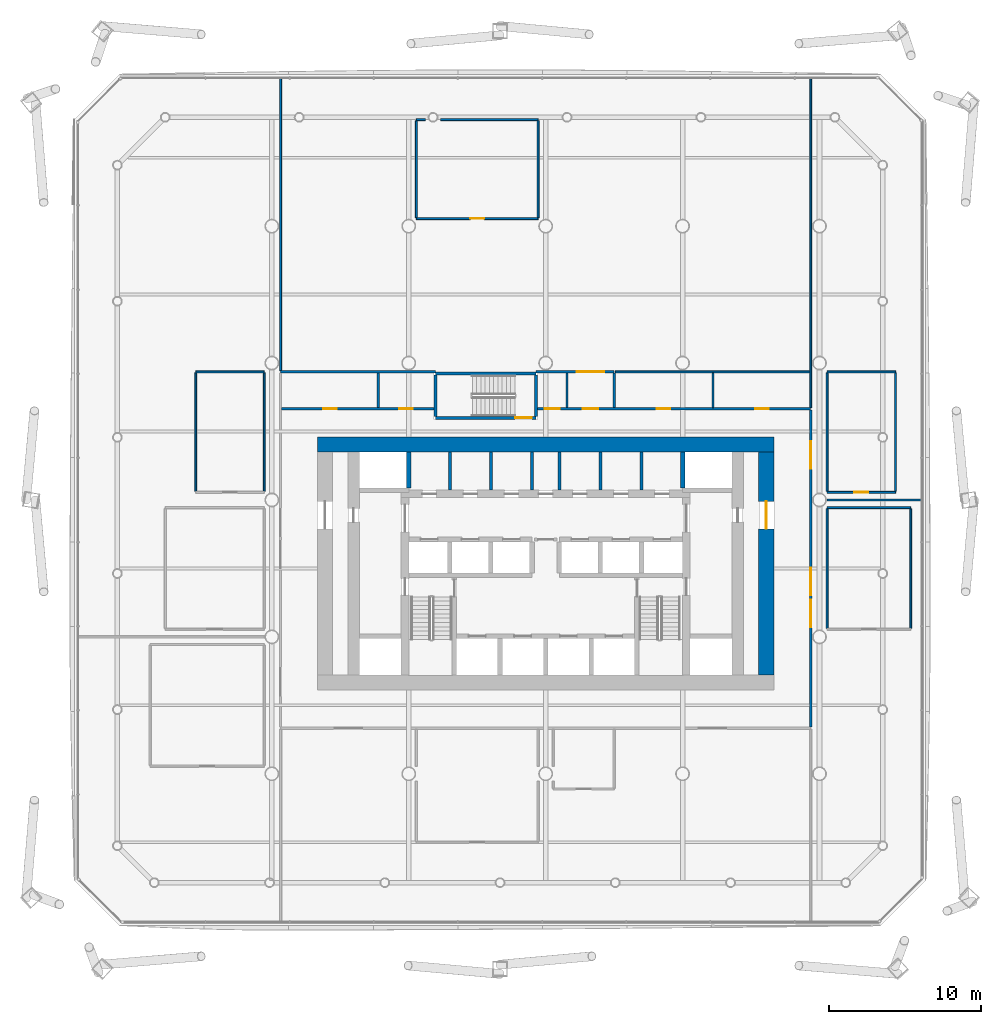
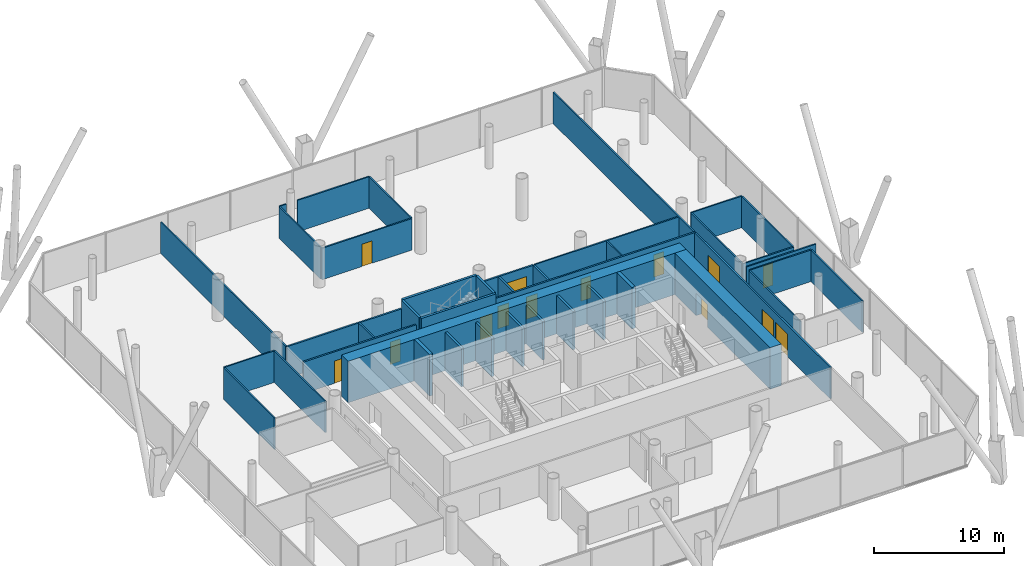
# One storey, part 19 of 25: 42 walls, 14 doors, 14 openings.
"""IFC4 building model written with IfcOpenShell, lengths in metres."""

from ifc_helpers import new_model, si_unit, direction, frame, frame_2d, origin, place, context, subcontext, project, spatial, rectangle, extrude, material, layer, layer_set, type_object, element, fill, save


model = new_model("IFC4")

# Units and contexts
model_context = context("Model", 3, precision=1e-05, world=origin(), true_north=direction((0.0, 1.0)))
body_context = subcontext(model_context, "Body", "Model", "MODEL_VIEW")
ifc_project = project(units=[si_unit("LENGTHUNIT", "METRE"), si_unit("AREAUNIT", "SQUARE_METRE"), si_unit("VOLUMEUNIT", "CUBIC_METRE"), si_unit("PLANEANGLEUNIT", "RADIAN"), si_unit("MASSUNIT", "GRAM", prefix="KILO")], contexts=[model_context])

# Site, building, storey
site_placement = place(None, origin())
site = spatial("IfcSite", under=ifc_project, at=site_placement, CompositionType="ELEMENT")
building_placement = place(site_placement, origin())
building = spatial("IfcBuilding", under=site, at=building_placement, Name="Tskaro Facet Tower", CompositionType="ELEMENT")
storey_placement = place(building_placement, frame((0.0, 0.0, 10.800048828125)))
storey = spatial("IfcBuildingStorey", under=building, at=storey_placement, Name="L01", CompositionType="ELEMENT", Elevation=10.800048828125)

# Walls
ifc_material_1 = material(Name="Concrete C60/75", Category="concrete")
ifc_layer_1 = layer(ifc_material_1, 0.300048828125, Name="Concrete C60/75")
ifc_layer_set_1 = layer_set([ifc_layer_1], Name="Concrete C60/75")
wall_type_1 = type_object("IfcWallType", Name="CORE-SHAFT", PredefinedType="SHEAR", material=ifc_layer_set_1)
for number, where, z_axis, x_axis, name in (
    (1, (-9.0, 0.800048828125, 0.0), (0.0, 0.0, 1.0), (0.0, 1.0, 0.0), "Shaft wall W046"),
    (2, (9.0, 0.800048828125, 0.0), (0.0, 0.0, 1.0), (0.0, 1.0, 0.0), "Shaft wall W077"),
):
    element("IfcWall", number, at=place(storey_placement, frame(where, z_axis=z_axis, x_axis=x_axis)), inside=storey, type_object=wall_type_1, Name=name, PredefinedType="SHEAR", context=body_context, shape_type="SweptSolid", body=[
        extrude(rectangle(XDim=2.349853515625, YDim=0.300048828125, at=frame_2d((1.1748046875, 0.0))), origin(), (0.0, 0.0, 1.0), 3.89990234375),
    ])
ifc_material_2 = material(Name="Concrete C20/25", Category="concrete")
ifc_layer_2 = layer(ifc_material_2, 0.199951171875, Name="Concrete C20/25")
ifc_layer_set_2 = layer_set([ifc_layer_2], Name="Concrete C20/25")
wall_type_2 = type_object("IfcWallType", Name="CORE-WALL", PredefinedType="SOLIDWALL", material=ifc_layer_set_2)
for number, where, z_axis, x_axis, name in (
    (3, (-6.300048828125, 0.64990234375, 0.0), (0.0, 0.0, 1.0), (0.0, 1.0, 0.0), "Core room wall W052"),
    (4, (-3.60009765625, 0.64990234375, 0.0), (0.0, 0.0, 1.0), (0.0, 1.0, 0.0), "Core room wall W055"),
    (5, (-0.89990234375, 0.64990234375, 0.0), (0.0, 0.0, 1.0), (0.0, 1.0, 0.0), "Core room wall W058"),
    (6, (0.89990234375, 0.64990234375, 0.0), (0.0, 0.0, 1.0), (0.0, 1.0, 0.0), "Core room wall W067"),
    (7, (3.60009765625, 0.64990234375, 0.0), (0.0, 0.0, 1.0), (0.0, 1.0, 0.0), "Core room wall W071"),
    (8, (6.300048828125, 0.64990234375, 0.0), (0.0, 0.0, 1.0), (0.0, 1.0, 0.0), "Core room wall W076"),
):
    element("IfcWall", number, at=place(storey_placement, frame(where, z_axis=z_axis, x_axis=x_axis)), inside=storey, type_object=wall_type_2, Name=name, PredefinedType="SOLIDWALL", context=body_context, shape_type="SweptSolid", body=[
        extrude(rectangle(XDim=2.5, YDim=0.199951171875, at=frame_2d((1.25, 0.0))), origin(), (0.0, 0.0, 1.0), 3.599853515625),
    ])
ifc_layer_3 = layer(ifc_material_1, 1.0, Name="Concrete C60/75")
ifc_layer_set_3 = layer_set([ifc_layer_3], Name="Concrete C60/75")
wall_type_3 = type_object("IfcWallType", Name="Core wall 1000", PredefinedType="SHEAR", material=ifc_layer_set_3)
wall_1_placement = place(storey_placement, frame((-15.0, 3.64990234375, 0.0), z_axis=(0.0, 0.0, 1.0), x_axis=(1.0, 0.0, 0.0)))
element("IfcWall", 9, at=wall_1_placement, inside=storey, type_object=wall_type_3, Name="Core wall CW-Z1N", PredefinedType="SHEAR", context=body_context, shape_type="SweptSolid", body=[
    extrude(rectangle(XDim=30.0, YDim=1.0, at=frame_2d((15.0, 0.0))), origin(), (0.0, 0.0, 1.0), 3.89990234375),
])

# Wall, opening, door
wall_2_placement = place(storey_placement, frame((14.5, -11.5, 0.0), z_axis=(0.0, 0.0, 1.0), x_axis=(0.0, 1.0, 0.0)))
wall_2 = element("IfcWall", 10, at=wall_2_placement, inside=storey, type_object=wall_type_3, Name="Core wall CW-Z1E", PredefinedType="SHEAR", context=body_context, shape_type="SweptSolid", body=[
    extrude(rectangle(XDim=14.64990234375, YDim=1.0, at=frame_2d((7.324951171875, 0.0))), origin(), (0.0, 0.0, 1.0), 3.89990234375),
])
opening_1_placement = place(wall_2_placement, frame((9.60009765625, 0.0, 0.0)))
opening_1 = element("IfcOpeningElement", 11, at=opening_1_placement, cuts=wall_2, Name="Opening T0-D20", PredefinedType="OPENING", context=body_context, shape_type="SweptSolid", body=[
    extrude(rectangle(XDim=1.800048828125, YDim=2.10009765625, at=frame_2d((0.89990234375, 1.050048828125))), frame((0.0, 0.510009765625, 0.0), z_axis=(0.0, -1.0, 0.0), x_axis=(1.0, 0.0, 0.0)), (0.0, 0.0, 1.0), 1.02001953125),
])
ifc_material_3 = material(Name="Steel", Category="steel")
door_type_1 = type_object("IfcDoorType", Name="D-CORE-PAIR", OperationType="NOTDEFINED", PredefinedType="DOOR", material=ifc_material_3)
door_1_placement = place(opening_1_placement, origin())
door_1 = element("IfcDoor", 12, at=door_1_placement, inside=storey, type_object=door_type_1, Name="Door T0-D20", OperationType="DOUBLE_DOOR_SINGLE_SWING", OverallHeight=2.10009765625, OverallWidth=1.800048828125, PredefinedType="DOOR", context=body_context, shape_type="SweptSolid", body=[
    extrude(rectangle(XDim=1.800048828125, YDim=2.10009765625, at=frame_2d((0.89990234375, 1.050048828125))), frame((0.0, 0.02490234375, 0.0), z_axis=(0.0, -1.0, 0.0), x_axis=(1.0, 0.0, 0.0)), (0.0, 0.0, 1.0), 0.050048828125),
])
fill(opening_1, door_1)

# Walls
ifc_material_4 = material(Name="Gypsum board on steel studs", Category="steel")
ifc_layer_4 = layer(ifc_material_4, 0.125, Name="Gypsum board on steel studs")
ifc_layer_set_4 = layer_set([ifc_layer_4], Name="Gypsum board on steel studs")
wall_type_4 = type_object("IfcWallType", Name="PART", PredefinedType="PARTITIONING", material=ifc_layer_set_4)
wall_3_placement = place(storey_placement, frame((18.5, -0.5, 0.0), z_axis=(0.0, 0.0, 1.0), x_axis=(1.0, 0.0, 0.0)))
element("IfcWall", 13, at=wall_3_placement, inside=storey, type_object=wall_type_4, Name="Partition W018", PredefinedType="PARTITIONING", context=body_context, shape_type="SweptSolid", body=[
    extrude(rectangle(XDim=5.5, YDim=0.125, at=frame_2d((2.75, 0.0))), origin(), (0.0, 0.0, 1.0), 2.9599609375),
])
wall_4_placement = place(storey_placement, frame((18.5, 0.0, 0.0), z_axis=(0.0, 0.0, 1.0), x_axis=(1.0, 0.0, 0.0)))
element("IfcWall", 14, at=wall_4_placement, inside=storey, type_object=wall_type_4, Name="Partition W019", PredefinedType="PARTITIONING", context=body_context, shape_type="SweptSolid", body=[
    extrude(rectangle(XDim=6.199951171875, YDim=0.125, at=frame_2d((3.10009765625, 0.0))), origin(), (0.0, 0.0, 1.0), 2.9599609375),
])

# Wall, opening, door
wall_5_placement = place(storey_placement, frame((18.5, 0.5, 0.0), z_axis=(0.0, 0.0, 1.0), x_axis=(1.0, 0.0, 0.0)))
wall_5 = element("IfcWall", 15, at=wall_5_placement, inside=storey, type_object=wall_type_4, Name="Partition W021", PredefinedType="PARTITIONING", context=body_context, shape_type="SweptSolid", body=[
    extrude(rectangle(XDim=4.5, YDim=0.125, at=frame_2d((2.25, 0.0))), origin(), (0.0, 0.0, 1.0), 2.9599609375),
])
opening_2_placement = place(wall_5_placement, frame((1.800048828125, 0.0, 0.0)))
opening_2 = element("IfcOpeningElement", 16, at=opening_2_placement, cuts=wall_5, Name="Opening T0-D29", PredefinedType="OPENING", context=body_context, shape_type="SweptSolid", body=[
    extrude(rectangle(XDim=0.89990234375, YDim=2.10009765625, at=frame_2d((0.449951171875, 1.050048828125))), frame((0.0, 0.072509765625, 0.0), z_axis=(0.0, -1.0, 0.0), x_axis=(1.0, 0.0, 0.0)), (0.0, 0.0, 1.0), 0.14501953125),
])
ifc_material_5 = material(Name="Timber", Category="wood")
door_type_2 = type_object("IfcDoorType", Name="D-ROOM", OperationType="NOTDEFINED", PredefinedType="DOOR", material=ifc_material_5)
door_2_placement = place(opening_2_placement, origin())
door_2 = element("IfcDoor", 17, at=door_2_placement, inside=storey, type_object=door_type_2, Name="Door T0-D29", OperationType="SINGLE_SWING_LEFT", OverallHeight=2.10009765625, OverallWidth=0.89990234375, PredefinedType="DOOR", context=body_context, shape_type="SweptSolid", body=[
    extrude(rectangle(XDim=0.89990234375, YDim=2.10009765625, at=frame_2d((0.449951171875, 1.050048828125))), frame((0.0, 0.02490234375, 0.0), z_axis=(0.0, -1.0, 0.0), x_axis=(1.0, 0.0, 0.0)), (0.0, 0.0, 1.0), 0.050048828125),
])
fill(opening_2, door_2)

# Walls
wall_6_placement = place(storey_placement, frame((-23.0, 8.425048828125, 0.0), z_axis=(0.0, 0.0, 1.0), x_axis=(1.0, 0.0, 0.0)))
element("IfcWall", 18, at=wall_6_placement, inside=storey, type_object=wall_type_4, Name="Partition W028", PredefinedType="PARTITIONING", context=body_context, shape_type="SweptSolid", body=[
    extrude(rectangle(XDim=4.5, YDim=0.125, at=frame_2d((2.25, 0.0))), origin(), (0.0, 0.0, 1.0), 2.9599609375),
])
wall_7_placement = place(storey_placement, frame((4.574951171875, 8.425048828125, 0.0), z_axis=(0.0, 0.0, 1.0), x_axis=(1.0, 0.0, 0.0)))
element("IfcWall", 19, at=wall_7_placement, inside=storey, type_object=wall_type_4, Name="Partition W031", PredefinedType="PARTITIONING", context=body_context, shape_type="SweptSolid", body=[
    extrude(rectangle(XDim=12.78759765625, YDim=0.125, at=frame_2d((6.393798828125, 0.0))), origin(), (0.0, 0.0, 1.0), 2.9599609375),
])
wall_8_placement = place(storey_placement, frame((18.5, 8.425048828125, 0.0), z_axis=(0.0, 0.0, 1.0), x_axis=(1.0, 0.0, 0.0)))
element("IfcWall", 20, at=wall_8_placement, inside=storey, type_object=wall_type_4, Name="Partition W032", PredefinedType="PARTITIONING", context=body_context, shape_type="SweptSolid", body=[
    extrude(rectangle(XDim=4.5, YDim=0.125, at=frame_2d((2.25, 0.0))), origin(), (0.0, 0.0, 1.0), 2.9599609375),
])

# Wall, opening, door
wall_9_placement = place(storey_placement, frame((-8.5, 18.5, 0.0), z_axis=(0.0, 0.0, 1.0), x_axis=(1.0, 0.0, 0.0)))
wall_9 = element("IfcWall", 21, at=wall_9_placement, inside=storey, type_object=wall_type_4, Name="Partition W033", PredefinedType="PARTITIONING", context=body_context, shape_type="SweptSolid", body=[
    extrude(rectangle(XDim=8.0, YDim=0.125, at=frame_2d((4.0, 0.0))), origin(), (0.0, 0.0, 1.0), 2.9599609375),
])
opening_3_placement = place(wall_9_placement, frame((3.550048828125, 0.0, 0.0)))
opening_3 = element("IfcOpeningElement", 22, at=opening_3_placement, cuts=wall_9, Name="Opening T0-D40", PredefinedType="OPENING", context=body_context, shape_type="SweptSolid", body=[
    extrude(rectangle(XDim=0.89990234375, YDim=2.10009765625, at=frame_2d((0.449951171875, 1.050048828125))), frame((0.0, 0.072509765625, 0.0), z_axis=(0.0, -1.0, 0.0), x_axis=(1.0, 0.0, 0.0)), (0.0, 0.0, 1.0), 0.14501953125),
])
door_3_placement = place(opening_3_placement, origin())
door_3 = element("IfcDoor", 23, at=door_3_placement, inside=storey, type_object=door_type_2, Name="Door T0-D40", OperationType="SINGLE_SWING_LEFT", OverallHeight=2.10009765625, OverallWidth=0.89990234375, PredefinedType="DOOR", context=body_context, shape_type="SweptSolid", body=[
    extrude(rectangle(XDim=0.89990234375, YDim=2.10009765625, at=frame_2d((0.449951171875, 1.050048828125))), frame((0.0, 0.02490234375, 0.0), z_axis=(0.0, -1.0, 0.0), x_axis=(1.0, 0.0, 0.0)), (0.0, 0.0, 1.0), 0.050048828125),
])
fill(opening_3, door_3)

# Walls
wall_10_placement = place(storey_placement, frame((-8.5, 25.0, 0.0), z_axis=(0.0, 0.0, 1.0), x_axis=(1.0, 0.0, 0.0)))
element("IfcWall", 24, at=wall_10_placement, inside=storey, type_object=wall_type_4, Name="Partition W034", PredefinedType="PARTITIONING", context=body_context, shape_type="SweptSolid", body=[
    extrude(rectangle(XDim=0.597900390625, YDim=0.125, at=frame_2d((0.298828125, 0.0))), origin(), (0.0, 0.0, 1.0), 2.9599609375),
])
wall_11_placement = place(storey_placement, frame((-6.902099609375, 25.0, 0.0), z_axis=(0.0, 0.0, 1.0), x_axis=(1.0, 0.0, 0.0)))
element("IfcWall", 25, at=wall_11_placement, inside=storey, type_object=wall_type_4, Name="Partition W035", PredefinedType="PARTITIONING", context=body_context, shape_type="SweptSolid", body=[
    extrude(rectangle(XDim=6.402099609375, YDim=0.125, at=frame_2d((3.201171875, 0.0))), origin(), (0.0, 0.0, 1.0), 2.9599609375),
])
for number, where, z_axis, x_axis, name in (
    (26, (-23.0, 0.5625, 0.0), (0.0, 0.0, 1.0), (0.0, 1.0, 0.0), "Partition W038"),
    (27, (-18.5, 0.5625, 0.0), (0.0, 0.0, 1.0), (0.0, 1.0, 0.0), "Partition W041"),
):
    element("IfcWall", number, at=place(storey_placement, frame(where, z_axis=z_axis, x_axis=x_axis)), inside=storey, type_object=wall_type_4, Name=name, PredefinedType="PARTITIONING", context=body_context, shape_type="SweptSolid", body=[
        extrude(rectangle(XDim=7.800048828125, YDim=0.125, at=frame_2d((3.89990234375, 0.0))), origin(), (0.0, 0.0, 1.0), 2.9599609375),
    ])
wall_12_placement = place(storey_placement, frame((-17.425048828125, 8.5, 0.0), z_axis=(0.0, 0.0, 1.0), x_axis=(0.0, 1.0, 0.0)))
element("IfcWall", 28, at=wall_12_placement, inside=storey, type_object=wall_type_4, Name="Partition W044", PredefinedType="PARTITIONING", context=body_context, shape_type="SweptSolid", body=[
    extrude(rectangle(XDim=19.199951171875, YDim=0.125, at=frame_2d((9.60009765625, 0.0))), origin(), (0.0, 0.0, 1.0), 2.9599609375),
])
for number, where, z_axis, x_axis, name in (
    (29, (-8.5, 18.5625, 0.0), (0.0, 0.0, 1.0), (0.0, 1.0, 0.0), "Partition W049"),
    (30, (-0.5, 18.5625, 0.0), (0.0, 0.0, 1.0), (0.0, 1.0, 0.0), "Partition W062"),
):
    element("IfcWall", number, at=place(storey_placement, frame(where, z_axis=z_axis, x_axis=x_axis)), inside=storey, type_object=wall_type_4, Name=name, PredefinedType="PARTITIONING", context=body_context, shape_type="SweptSolid", body=[
        extrude(rectangle(XDim=6.375, YDim=0.125, at=frame_2d((3.1875, 0.0))), origin(), (0.0, 0.0, 1.0), 2.9599609375),
    ])
wall_13_placement = place(storey_placement, frame((11.0, 6.074951171875, 0.0), z_axis=(0.0, 0.0, 1.0), x_axis=(0.0, 1.0, 0.0)))
element("IfcWall", 31, at=wall_13_placement, inside=storey, type_object=wall_type_4, Name="Partition W078", PredefinedType="PARTITIONING", context=body_context, shape_type="SweptSolid", body=[
    extrude(rectangle(XDim=2.28759765625, YDim=0.125, at=frame_2d((1.143798828125, 0.0))), origin(), (0.0, 0.0, 1.0), 2.9599609375),
])
wall_14_placement = place(storey_placement, frame((17.425048828125, 6.074951171875, 0.0), z_axis=(0.0, 0.0, 1.0), x_axis=(0.0, 1.0, 0.0)))
element("IfcWall", 32, at=wall_14_placement, inside=storey, type_object=wall_type_4, Name="Partition W081", PredefinedType="PARTITIONING", context=body_context, shape_type="SweptSolid", body=[
    extrude(rectangle(XDim=21.625, YDim=0.125, at=frame_2d((10.8125, 0.0))), origin(), (0.0, 0.0, 1.0), 2.9599609375),
])
wall_15_placement = place(storey_placement, frame((18.5, -8.4375, 0.0), z_axis=(0.0, 0.0, 1.0), x_axis=(0.0, 1.0, 0.0)))
element("IfcWall", 33, at=wall_15_placement, inside=storey, type_object=wall_type_4, Name="Partition W082", PredefinedType="PARTITIONING", context=body_context, shape_type="SweptSolid", body=[
    extrude(rectangle(XDim=7.875, YDim=0.125, at=frame_2d((3.9375, 0.0))), origin(), (0.0, 0.0, 1.0), 2.9599609375),
])
for number, where, z_axis, x_axis, name in (
    (34, (18.5, 0.5625, 0.0), (0.0, 0.0, 1.0), (0.0, 1.0, 0.0), "Partition W083"),
    (35, (23.0, 0.5625, 0.0), (0.0, 0.0, 1.0), (0.0, 1.0, 0.0), "Partition W084"),
):
    element("IfcWall", number, at=place(storey_placement, frame(where, z_axis=z_axis, x_axis=x_axis)), inside=storey, type_object=wall_type_4, Name=name, PredefinedType="PARTITIONING", context=body_context, shape_type="SweptSolid", body=[
        extrude(rectangle(XDim=7.800048828125, YDim=0.125, at=frame_2d((3.89990234375, 0.0))), origin(), (0.0, 0.0, 1.0), 2.9599609375),
    ])
wall_16_placement = place(storey_placement, frame((24.0, -8.4375, 0.0), z_axis=(0.0, 0.0, 1.0), x_axis=(0.0, 1.0, 0.0)))
element("IfcWall", 36, at=wall_16_placement, inside=storey, type_object=wall_type_4, Name="Partition W085", PredefinedType="PARTITIONING", context=body_context, shape_type="SweptSolid", body=[
    extrude(rectangle(XDim=7.875, YDim=0.125, at=frame_2d((3.9375, 0.0))), origin(), (0.0, 0.0, 1.0), 2.9599609375),
])

# Wall, openings, doors
ifc_layer_5 = layer(ifc_material_4, 0.14990234375, Name="Gypsum board on steel studs")
ifc_layer_set_5 = layer_set([ifc_layer_5], Name="Gypsum board on steel studs")
wall_type_5 = type_object("IfcWallType", Name="PART-CORR", PredefinedType="PARTITIONING", material=ifc_layer_set_5)
wall_17_placement = place(storey_placement, frame((-17.35009765625, 6.0, 0.0), z_axis=(0.0, 0.0, 1.0), x_axis=(1.0, 0.0, 0.0)))
wall_17 = element("IfcWall", 37, at=wall_17_placement, inside=storey, type_object=wall_type_5, Name="Corridor wall W025", PredefinedType="PARTITIONING", context=body_context, shape_type="SweptSolid", body=[
    extrude(rectangle(XDim=10.0, YDim=0.14990234375, at=frame_2d((5.0, 0.0))), origin(), (0.0, 0.0, 1.0), 2.9599609375),
])
opening_4_placement = place(wall_17_placement, frame((2.72509765625, 0.0, 0.0)))
opening_4 = element("IfcOpeningElement", 38, at=opening_4_placement, cuts=wall_17, Name="Opening T0-D33", PredefinedType="OPENING", context=body_context, shape_type="SweptSolid", body=[
    extrude(rectangle(XDim=0.89990234375, YDim=2.10009765625, at=frame_2d((0.449951171875, 1.050048828125))), frame((0.0, 0.0849609375, 0.0), z_axis=(0.0, -1.0, 0.0), x_axis=(1.0, 0.0, 0.0)), (0.0, 0.0, 1.0), 0.169921875),
])
opening_5_placement = place(wall_17_placement, frame((7.72509765625, 0.0, 0.0)))
opening_5 = element("IfcOpeningElement", 39, at=opening_5_placement, cuts=wall_17, Name="Opening T0-D34", PredefinedType="OPENING", context=body_context, shape_type="SweptSolid", body=[
    extrude(rectangle(XDim=0.89990234375, YDim=2.10009765625, at=frame_2d((0.449951171875, 1.050048828125))), frame((0.0, 0.0849609375, 0.0), z_axis=(0.0, -1.0, 0.0), x_axis=(1.0, 0.0, 0.0)), (0.0, 0.0, 1.0), 0.169921875),
])
door_4_placement = place(opening_4_placement, origin())
door_4 = element("IfcDoor", 40, at=door_4_placement, inside=storey, type_object=door_type_2, Name="Door T0-D33", OperationType="SINGLE_SWING_LEFT", OverallHeight=2.10009765625, OverallWidth=0.89990234375, PredefinedType="DOOR", context=body_context, shape_type="SweptSolid", body=[
    extrude(rectangle(XDim=0.89990234375, YDim=2.10009765625, at=frame_2d((0.449951171875, 1.050048828125))), frame((0.0, 0.02490234375, 0.0), z_axis=(0.0, -1.0, 0.0), x_axis=(1.0, 0.0, 0.0)), (0.0, 0.0, 1.0), 0.050048828125),
])
fill(opening_4, door_4)
door_5_placement = place(opening_5_placement, origin())
door_5 = element("IfcDoor", 41, at=door_5_placement, inside=storey, type_object=door_type_2, Name="Door T0-D34", OperationType="SINGLE_SWING_LEFT", OverallHeight=2.10009765625, OverallWidth=0.89990234375, PredefinedType="DOOR", context=body_context, shape_type="SweptSolid", body=[
    extrude(rectangle(XDim=0.89990234375, YDim=2.10009765625, at=frame_2d((0.449951171875, 1.050048828125))), frame((0.0, 0.02490234375, 0.0), z_axis=(0.0, -1.0, 0.0), x_axis=(1.0, 0.0, 0.0)), (0.0, 0.0, 1.0), 0.050048828125),
])
fill(opening_5, door_5)

wall_18_placement = place(storey_placement, frame((17.425048828125, 6.0, 0.0), z_axis=(0.0, 0.0, 1.0), x_axis=(-1.0, 0.0, 0.0)))
wall_18 = element("IfcWall", 42, at=wall_18_placement, inside=storey, type_object=wall_type_5, Name="Corridor wall W026", PredefinedType="PARTITIONING", context=body_context, shape_type="SweptSolid", body=[
    extrude(rectangle(XDim=17.97509765625, YDim=0.14990234375, at=frame_2d((8.987548828125, 0.0))), origin(), (0.0, 0.0, 1.0), 2.9599609375),
])
opening_6_placement = place(wall_18_placement, frame((13.97509765625, 0.0, 0.0)))
opening_6 = element("IfcOpeningElement", 43, at=opening_6_placement, cuts=wall_18, Name="Opening T0-D36", PredefinedType="OPENING", context=body_context, shape_type="SweptSolid", body=[
    extrude(rectangle(XDim=1.0, YDim=2.10009765625, at=frame_2d((0.5, 1.050048828125))), frame((0.0, 0.0849609375, 0.0), z_axis=(0.0, -1.0, 0.0), x_axis=(1.0, 0.0, 0.0)), (0.0, 0.0, 1.0), 0.169921875),
])
opening_7_placement = place(wall_18_placement, frame((16.5, 0.0, 0.0)))
opening_7 = element("IfcOpeningElement", 44, at=opening_7_placement, cuts=wall_18, Name="Opening T0-D35", PredefinedType="OPENING", context=body_context, shape_type="SweptSolid", body=[
    extrude(rectangle(XDim=1.0, YDim=2.10009765625, at=frame_2d((0.5, 1.050048828125))), frame((0.0, 0.0849609375, 0.0), z_axis=(0.0, -1.0, 0.0), x_axis=(1.0, 0.0, 0.0)), (0.0, 0.0, 1.0), 0.169921875),
])
opening_8_placement = place(wall_18_placement, frame((9.22509765625, 0.0, 0.0)))
opening_8 = element("IfcOpeningElement", 45, at=opening_8_placement, cuts=wall_18, Name="Opening T0-D37", PredefinedType="OPENING", context=body_context, shape_type="SweptSolid", body=[
    extrude(rectangle(XDim=0.89990234375, YDim=2.10009765625, at=frame_2d((0.449951171875, 1.050048828125))), frame((0.0, 0.0849609375, 0.0), z_axis=(0.0, -1.0, 0.0), x_axis=(1.0, 0.0, 0.0)), (0.0, 0.0, 1.0), 0.169921875),
])
opening_9_placement = place(wall_18_placement, frame((2.762451171875, 0.0, 0.0)))
opening_9 = element("IfcOpeningElement", 46, at=opening_9_placement, cuts=wall_18, Name="Opening T0-D38", PredefinedType="OPENING", context=body_context, shape_type="SweptSolid", body=[
    extrude(rectangle(XDim=0.89990234375, YDim=2.10009765625, at=frame_2d((0.449951171875, 1.050048828125))), frame((0.0, 0.0849609375, 0.0), z_axis=(0.0, -1.0, 0.0), x_axis=(1.0, 0.0, 0.0)), (0.0, 0.0, 1.0), 0.169921875),
])
door_type_3 = type_object("IfcDoorType", Name="D-ENTRY", OperationType="NOTDEFINED", PredefinedType="DOOR", material=ifc_material_5)
door_6_placement = place(opening_6_placement, origin())
door_6 = element("IfcDoor", 47, at=door_6_placement, inside=storey, type_object=door_type_3, Name="Door T0-D36", OperationType="SINGLE_SWING_RIGHT", OverallHeight=2.10009765625, OverallWidth=1.0, PredefinedType="DOOR", context=body_context, shape_type="SweptSolid", body=[
    extrude(rectangle(XDim=1.0, YDim=2.10009765625, at=frame_2d((0.5, 1.050048828125))), frame((0.0, 0.02490234375, 0.0), z_axis=(0.0, -1.0, 0.0), x_axis=(1.0, 0.0, 0.0)), (0.0, 0.0, 1.0), 0.050048828125),
])
fill(opening_6, door_6)
door_7_placement = place(opening_8_placement, origin())
door_7 = element("IfcDoor", 48, at=door_7_placement, inside=storey, type_object=door_type_2, Name="Door T0-D37", OperationType="SINGLE_SWING_RIGHT", OverallHeight=2.10009765625, OverallWidth=0.89990234375, PredefinedType="DOOR", context=body_context, shape_type="SweptSolid", body=[
    extrude(rectangle(XDim=0.89990234375, YDim=2.10009765625, at=frame_2d((0.449951171875, 1.050048828125))), frame((0.0, 0.02490234375, 0.0), z_axis=(0.0, -1.0, 0.0), x_axis=(1.0, 0.0, 0.0)), (0.0, 0.0, 1.0), 0.050048828125),
])
fill(opening_8, door_7)
door_8_placement = place(opening_9_placement, origin())
door_8 = element("IfcDoor", 49, at=door_8_placement, inside=storey, type_object=door_type_2, Name="Door T0-D38", OperationType="SINGLE_SWING_RIGHT", OverallHeight=2.10009765625, OverallWidth=0.89990234375, PredefinedType="DOOR", context=body_context, shape_type="SweptSolid", body=[
    extrude(rectangle(XDim=0.89990234375, YDim=2.10009765625, at=frame_2d((0.449951171875, 1.050048828125))), frame((0.0, 0.02490234375, 0.0), z_axis=(0.0, -1.0, 0.0), x_axis=(1.0, 0.0, 0.0)), (0.0, 0.0, 1.0), 0.050048828125),
])
fill(opening_9, door_8)
door_type_4 = type_object("IfcDoorType", Name="D-ROOM-WIDE", OperationType="NOTDEFINED", PredefinedType="DOOR", material=ifc_material_5)
door_9_placement = place(opening_7_placement, origin())
door_9 = element("IfcDoor", 50, at=door_9_placement, inside=storey, type_object=door_type_4, Name="Door T0-D35", OperationType="SINGLE_SWING_RIGHT", OverallHeight=2.10009765625, OverallWidth=1.0, PredefinedType="DOOR", context=body_context, shape_type="SweptSolid", body=[
    extrude(rectangle(XDim=1.0, YDim=2.10009765625, at=frame_2d((0.5, 1.050048828125))), frame((0.0, 0.02490234375, 0.0), z_axis=(0.0, -1.0, 0.0), x_axis=(1.0, 0.0, 0.0)), (0.0, 0.0, 1.0), 0.050048828125),
])
fill(opening_7, door_9)

# Wall
wall_19_placement = place(storey_placement, frame((-17.425048828125, 8.425048828125, 0.0), z_axis=(0.0, 0.0, 1.0), x_axis=(1.0, 0.0, 0.0)))
element("IfcWall", 51, at=wall_19_placement, inside=storey, type_object=wall_type_5, Name="Corridor wall W029", PredefinedType="PARTITIONING", context=body_context, shape_type="SweptSolid", body=[
    extrude(rectangle(XDim=10.175048828125, YDim=0.14990234375, at=frame_2d((5.08740234375, 0.0))), origin(), (0.0, 0.0, 1.0), 2.9599609375),
])

# Wall, opening, door
wall_20_placement = place(storey_placement, frame((-0.64990234375, 8.425048828125, 0.0), z_axis=(0.0, 0.0, 1.0), x_axis=(1.0, 0.0, 0.0)))
wall_20 = element("IfcWall", 52, at=wall_20_placement, inside=storey, type_object=wall_type_5, Name="Corridor wall W030", PredefinedType="PARTITIONING", context=body_context, shape_type="SweptSolid", body=[
    extrude(rectangle(XDim=5.14990234375, YDim=0.14990234375, at=frame_2d((2.574951171875, 0.0))), origin(), (0.0, 0.0, 1.0), 2.9599609375),
])
opening_10_placement = place(wall_20_placement, frame((2.699951171875, 0.0, 0.0)))
opening_10 = element("IfcOpeningElement", 53, at=opening_10_placement, cuts=wall_20, Name="Opening T0-D39", PredefinedType="OPENING", context=body_context, shape_type="SweptSolid", body=[
    extrude(rectangle(XDim=1.800048828125, YDim=2.10009765625, at=frame_2d((0.89990234375, 1.050048828125))), frame((0.0, 0.0849609375, 0.0), z_axis=(0.0, -1.0, 0.0), x_axis=(1.0, 0.0, 0.0)), (0.0, 0.0, 1.0), 0.169921875),
])
ifc_material_6 = material(Name="Glass", Category="glass")
door_type_5 = type_object("IfcDoorType", Name="D-ENTRY-PAIR", OperationType="NOTDEFINED", PredefinedType="DOOR", material=ifc_material_6)
door_10_placement = place(opening_10_placement, origin())
door_10 = element("IfcDoor", 54, at=door_10_placement, inside=storey, type_object=door_type_5, Name="Door T0-D39", OperationType="DOUBLE_DOOR_SINGLE_SWING", OverallHeight=2.10009765625, OverallWidth=1.800048828125, PredefinedType="DOOR", context=body_context, shape_type="SweptSolid", body=[
    extrude(rectangle(XDim=1.800048828125, YDim=2.10009765625, at=frame_2d((0.89990234375, 1.050048828125))), frame((0.0, 0.02490234375, 0.0), z_axis=(0.0, -1.0, 0.0), x_axis=(1.0, 0.0, 0.0)), (0.0, 0.0, 1.0), 0.050048828125),
])
fill(opening_10, door_10)

# Walls
for number, where, z_axis, x_axis, name in (
    (55, (-11.0, 6.074951171875, 0.0), (0.0, 0.0, 1.0), (0.0, 1.0, 0.0), "Corridor wall W045"),
    (56, (1.39990234375, 6.074951171875, 0.0), (0.0, 0.0, 1.0), (0.0, 1.0, 0.0), "Corridor wall W068"),
    (57, (4.5, 6.074951171875, 0.0), (0.0, 0.0, 1.0), (0.0, 1.0, 0.0), "Corridor wall W073"),
):
    element("IfcWall", number, at=place(storey_placement, frame(where, z_axis=z_axis, x_axis=x_axis)), inside=storey, type_object=wall_type_5, Name=name, PredefinedType="PARTITIONING", context=body_context, shape_type="SweptSolid", body=[
        extrude(rectangle(XDim=2.275146484375, YDim=0.14990234375, at=frame_2d((1.1376953125, 0.0))), origin(), (0.0, 0.0, 1.0), 2.9599609375),
    ])

# Wall, openings, doors
wall_21_placement = place(storey_placement, frame((17.425048828125, -14.925048828125, 0.0), z_axis=(0.0, 0.0, 1.0), x_axis=(0.0, 1.0, 0.0)))
wall_21 = element("IfcWall", 58, at=wall_21_placement, inside=storey, type_object=wall_type_5, Name="Corridor wall W080", PredefinedType="PARTITIONING", context=body_context, shape_type="SweptSolid", body=[
    extrude(rectangle(XDim=20.85009765625, YDim=0.14990234375, at=frame_2d((10.425048828125, 0.0))), origin(), (0.0, 0.0, 1.0), 2.9599609375),
])
opening_11_placement = place(wall_21_placement, frame((6.5625, 0.0, 0.0)))
opening_11 = element("IfcOpeningElement", 59, at=opening_11_placement, cuts=wall_21, Name="Opening T0-D11", PredefinedType="OPENING", context=body_context, shape_type="SweptSolid", body=[
    extrude(rectangle(XDim=1.800048828125, YDim=2.10009765625, at=frame_2d((0.89990234375, 1.050048828125))), frame((0.0, 0.0849609375, 0.0), z_axis=(0.0, -1.0, 0.0), x_axis=(1.0, 0.0, 0.0)), (0.0, 0.0, 1.0), 0.169921875),
])
opening_12_placement = place(wall_21_placement, frame((8.66259765625, 0.0, 0.0)))
opening_12 = element("IfcOpeningElement", 60, at=opening_12_placement, cuts=wall_21, Name="Opening T0-D12", PredefinedType="OPENING", context=body_context, shape_type="SweptSolid", body=[
    extrude(rectangle(XDim=1.800048828125, YDim=2.10009765625, at=frame_2d((0.89990234375, 1.050048828125))), frame((0.0, 0.0849609375, 0.0), z_axis=(0.0, -1.0, 0.0), x_axis=(1.0, 0.0, 0.0)), (0.0, 0.0, 1.0), 0.169921875),
])
opening_13_placement = place(wall_21_placement, frame((16.987548828125, 0.0, 0.0)))
opening_13 = element("IfcOpeningElement", 61, at=opening_13_placement, cuts=wall_21, Name="Opening T0-D32", PredefinedType="OPENING", context=body_context, shape_type="SweptSolid", body=[
    extrude(rectangle(XDim=1.800048828125, YDim=2.10009765625, at=frame_2d((0.89990234375, 1.050048828125))), frame((0.0, 0.0849609375, 0.0), z_axis=(0.0, -1.0, 0.0), x_axis=(1.0, 0.0, 0.0)), (0.0, 0.0, 1.0), 0.169921875),
])
door_11_placement = place(opening_11_placement, origin())
door_11 = element("IfcDoor", 62, at=door_11_placement, inside=storey, type_object=door_type_5, Name="Door T0-D11", OperationType="DOUBLE_DOOR_SINGLE_SWING", OverallHeight=2.10009765625, OverallWidth=1.800048828125, PredefinedType="DOOR", context=body_context, shape_type="SweptSolid", body=[
    extrude(rectangle(XDim=1.800048828125, YDim=2.10009765625, at=frame_2d((0.89990234375, 1.050048828125))), frame((0.0, 0.02490234375, 0.0), z_axis=(0.0, -1.0, 0.0), x_axis=(1.0, 0.0, 0.0)), (0.0, 0.0, 1.0), 0.050048828125),
])
fill(opening_11, door_11)
door_12_placement = place(opening_12_placement, origin())
door_12 = element("IfcDoor", 63, at=door_12_placement, inside=storey, type_object=door_type_5, Name="Door T0-D12", OperationType="DOUBLE_DOOR_SINGLE_SWING", OverallHeight=2.10009765625, OverallWidth=1.800048828125, PredefinedType="DOOR", context=body_context, shape_type="SweptSolid", body=[
    extrude(rectangle(XDim=1.800048828125, YDim=2.10009765625, at=frame_2d((0.89990234375, 1.050048828125))), frame((0.0, 0.02490234375, 0.0), z_axis=(0.0, -1.0, 0.0), x_axis=(1.0, 0.0, 0.0)), (0.0, 0.0, 1.0), 0.050048828125),
])
fill(opening_12, door_12)
door_13_placement = place(opening_13_placement, origin())
door_13 = element("IfcDoor", 64, at=door_13_placement, inside=storey, type_object=door_type_5, Name="Door T0-D32", OperationType="DOUBLE_DOOR_SINGLE_SWING", OverallHeight=2.10009765625, OverallWidth=1.800048828125, PredefinedType="DOOR", context=body_context, shape_type="SweptSolid", body=[
    extrude(rectangle(XDim=1.800048828125, YDim=2.10009765625, at=frame_2d((0.89990234375, 1.050048828125))), frame((0.0, 0.02490234375, 0.0), z_axis=(0.0, -1.0, 0.0), x_axis=(1.0, 0.0, 0.0)), (0.0, 0.0, 1.0), 0.050048828125),
])
fill(opening_13, door_13)

# Wall, opening, door
ifc_layer_6 = layer(ifc_material_1, 0.199951171875, Name="Concrete C60/75")
ifc_layer_set_6 = layer_set([ifc_layer_6], Name="Concrete C60/75")
wall_type_6 = type_object("IfcWallType", Name="STAIR-WALL", PredefinedType="SHEAR", material=ifc_layer_set_6)
wall_22_placement = place(storey_placement, frame((-7.25, 5.39990234375, 0.0), z_axis=(0.0, 0.0, 1.0), x_axis=(1.0, 0.0, 0.0)))
wall_22 = element("IfcWall", 65, at=wall_22_placement, inside=storey, type_object=wall_type_6, Name="Stair wall W024", PredefinedType="SHEAR", context=body_context, shape_type="SweptSolid", body=[
    extrude(rectangle(XDim=6.60009765625, YDim=0.199951171875, at=frame_2d((3.300048828125, 0.0))), origin(), (0.0, 0.0, 1.0), 3.89990234375),
])
opening_14_placement = place(wall_22_placement, frame((5.25, 0.0, 0.0)))
opening_14 = element("IfcOpeningElement", 66, at=opening_14_placement, cuts=wall_22, Name="Opening ST-3-D1", PredefinedType="OPENING", context=body_context, shape_type="SweptSolid", body=[
    extrude(rectangle(XDim=1.10009765625, YDim=2.10009765625, at=frame_2d((0.550048828125, 1.050048828125))), frame((0.0, 0.10986328125, 0.0), z_axis=(0.0, -1.0, 0.0), x_axis=(1.0, 0.0, 0.0)), (0.0, 0.0, 1.0), 0.219970703125),
])
door_type_6 = type_object("IfcDoorType", Name="D-STAIR", OperationType="NOTDEFINED", PredefinedType="DOOR", material=ifc_material_3)
door_14_placement = place(opening_14_placement, origin())
door_14 = element("IfcDoor", 67, at=door_14_placement, inside=storey, type_object=door_type_6, Name="Stair door 3", OperationType="SINGLE_SWING_LEFT", OverallHeight=2.10009765625, OverallWidth=1.10009765625, PredefinedType="DOOR", context=body_context, shape_type="SweptSolid", body=[
    extrude(rectangle(XDim=1.10009765625, YDim=2.10009765625, at=frame_2d((0.550048828125, 1.050048828125))), frame((0.0, 0.02490234375, 0.0), z_axis=(0.0, -1.0, 0.0), x_axis=(1.0, 0.0, 0.0)), (0.0, 0.0, 1.0), 0.050048828125),
])
fill(opening_14, door_14)

# Walls
wall_23_placement = place(storey_placement, frame((-7.25, 8.300048828125, 0.0), z_axis=(0.0, 0.0, 1.0), x_axis=(1.0, 0.0, 0.0)))
element("IfcWall", 68, at=wall_23_placement, inside=storey, type_object=wall_type_6, Name="Stair wall W027", PredefinedType="SHEAR", context=body_context, shape_type="SweptSolid", body=[
    extrude(rectangle(XDim=6.60009765625, YDim=0.199951171875, at=frame_2d((3.300048828125, 0.0))), origin(), (0.0, 0.0, 1.0), 3.89990234375),
])
for number, where, z_axis, x_axis, name in (
    (69, (-7.25, 5.5, 0.0), (0.0, 0.0, 1.0), (0.0, 1.0, 0.0), "Stair wall W050"),
    (70, (-0.64990234375, 5.5, 0.0), (0.0, 0.0, 1.0), (0.0, 1.0, 0.0), "Stair wall W059"),
):
    element("IfcWall", number, at=place(storey_placement, frame(where, z_axis=z_axis, x_axis=x_axis)), inside=storey, type_object=wall_type_6, Name=name, PredefinedType="SHEAR", context=body_context, shape_type="SweptSolid", body=[
        extrude(rectangle(XDim=2.699951171875, YDim=0.199951171875, at=frame_2d((1.35009765625, 0.0))), origin(), (0.0, 0.0, 1.0), 3.89990234375),
    ])

save(model, "model.ifc")
